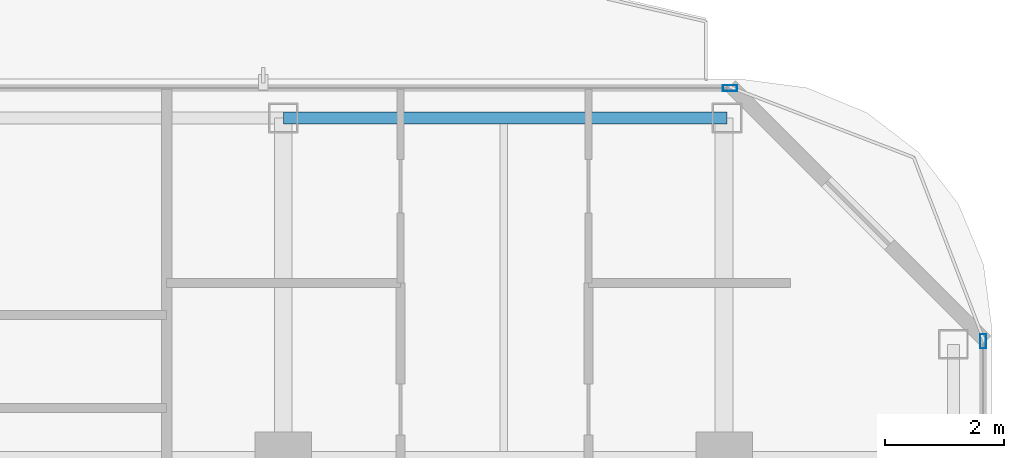
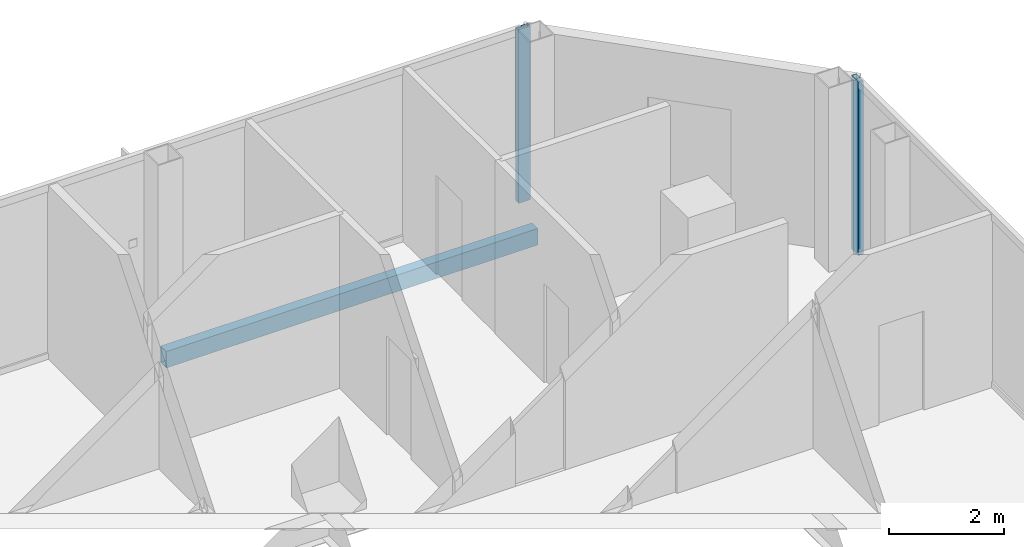
# One storey, part 15 of 26: 2 members, 1 beam, 2 elements without a shape of their own.
"""IFC4 building model written with IfcOpenShell, lengths in metres."""

from ifc_helpers import new_model, si_unit, direction, frame, origin, origin_2d, place, context, subcontext, project, spatial, hollow_rectangle, extrude, material, layer, layer_set, material_profile, profile_set, type_object, element, aggregate, save


model = new_model("IFC4")

# Units and contexts
model_context = context("Model", 3, precision=1e-05, world=origin(), true_north=direction((0.0, 1.0)))
body_context = subcontext(model_context, "Body", "Model", "MODEL_VIEW")
ifc_project = project(units=[si_unit("LENGTHUNIT", "METRE"), si_unit("AREAUNIT", "SQUARE_METRE"), si_unit("VOLUMEUNIT", "CUBIC_METRE"), si_unit("PLANEANGLEUNIT", "RADIAN"), si_unit("MASSUNIT", "GRAM", prefix="KILO")], contexts=[model_context])

# Site, building, storey
site_placement = place(None, origin())
site = spatial("IfcSite", under=ifc_project, at=site_placement, CompositionType="ELEMENT")
building_placement = place(site_placement, origin())
building = spatial("IfcBuilding", under=site, at=building_placement, Name="Khorvyn Point Tower", CompositionType="ELEMENT")
storey_placement = place(building_placement, frame((0.0, 0.0, 289.800048828125)))
storey = spatial("IfcBuildingStorey", under=building, at=storey_placement, Name="L71", CompositionType="ELEMENT", Elevation=289.800048828125)

# Curtain wall, member
ifc_material_1 = material(Name="Anodised aluminium 6063-T6 and laminated Low-E glass", Category="aluminium")
ifc_layer = layer(ifc_material_1, 0.18994140625)
ifc_layer_set = layer_set([ifc_layer], Name="Stick-Built High-Wind Curtain Wall CW-SYS-04")
curtain_wall_type = type_object("IfcCurtainWallType", Name="Stick-Built High-Wind Curtain Wall CW-SYS-04", PredefinedType="NOTDEFINED", material=ifc_layer_set)
curtain_wall_1_placement = place(storey_placement, origin())
curtain_wall_1 = element("IfcCurtainWall", 1, at=curtain_wall_1_placement, inside=storey, type_object=curtain_wall_type, Name="Curtain Wall", PredefinedType="NOTDEFINED")
ifc_material_2 = material(Name="Anodised aluminium 6063-T6", Category="aluminium")
ifc_material_profile_1 = material_profile(ifc_material_2, hollow_rectangle(XDim=0.10009765625, YDim=0.239990234375, WallThickness=0.0048828125, at=origin_2d()))
ifc_profile_set_1 = profile_set([ifc_material_profile_1], Name="Anodised aluminium 6063-T6 ALU-MUL-100x240")
member_type = type_object("IfcMemberType", Name="Anodised Aluminium 6063-T6 Mullion ALU-MUL-100x240", PredefinedType="MULLION", material=ifc_profile_set_1)
member_1_placement = place(storey_placement, frame((14.89990234375, 21.050048828125, 0.0), z_axis=(0.0, 0.0, 1.0), x_axis=(0.0, 1.0, 0.0)))
member_1 = element("IfcMember", 2, at=member_1_placement, type_object=member_type, Name="Transom", PredefinedType="MULLION", context=body_context, shape_type="SweptSolid", body=[
    extrude(hollow_rectangle(XDim=0.10009765625, YDim=0.239990234375, WallThickness=0.0048828125, at=origin_2d()), origin(), (0.0, 0.0, 1.0), 3.679931640625),
])
aggregate(curtain_wall_1, [member_1])

curtain_wall_2_placement = place(storey_placement, origin())
curtain_wall_2 = element("IfcCurtainWall", 3, at=curtain_wall_2_placement, inside=storey, type_object=curtain_wall_type, Name="Curtain Wall", PredefinedType="NOTDEFINED")
member_2_placement = place(storey_placement, frame((19.14990234375, 16.800048828125, 0.0), z_axis=(0.0, 0.0, 1.0), x_axis=(1.0, 0.0, 0.0)))
member_2 = element("IfcMember", 4, at=member_2_placement, type_object=member_type, Name="Transom", PredefinedType="MULLION", context=body_context, shape_type="SweptSolid", body=[
    extrude(hollow_rectangle(XDim=0.10009765625, YDim=0.239990234375, WallThickness=0.0048828125, at=origin_2d()), origin(), (0.0, 0.0, 1.0), 3.679931640625),
])
aggregate(curtain_wall_2, [member_2])

# Beam
ifc_material_3 = material(Name="Steel S355", Category="steel")
ifc_material_profile_2 = material_profile(ifc_material_3, hollow_rectangle(XDim=0.199951171875, YDim=0.35009765625, WallThickness=0.013916015625, at=origin_2d()))
ifc_profile_set_2 = profile_set([ifc_material_profile_2], Name="Steel S355 RHS350x200x14")
beam_type = type_object("IfcBeamType", Name="Steel S355 Spandrel RHS350x200x14", PredefinedType="SPANDREL", material=ifc_profile_set_2)
beam_placement = place(storey_placement, frame((7.39990234375, 20.550048828125, -0.39501953125), z_axis=(1.0, 0.0, 0.0), x_axis=(0.0, 1.0, 0.0)))
element("IfcBeam", 5, at=beam_placement, inside=storey, type_object=beam_type, Name="Beam", PredefinedType="SPANDREL", context=body_context, shape_type="SweptSolid", body=[
    extrude(hollow_rectangle(XDim=0.199951171875, YDim=0.35009765625, WallThickness=0.013916015625, at=origin_2d()), origin(), (0.0, 0.0, 1.0), 7.4501953125),
])

save(model, "model.ifc")
